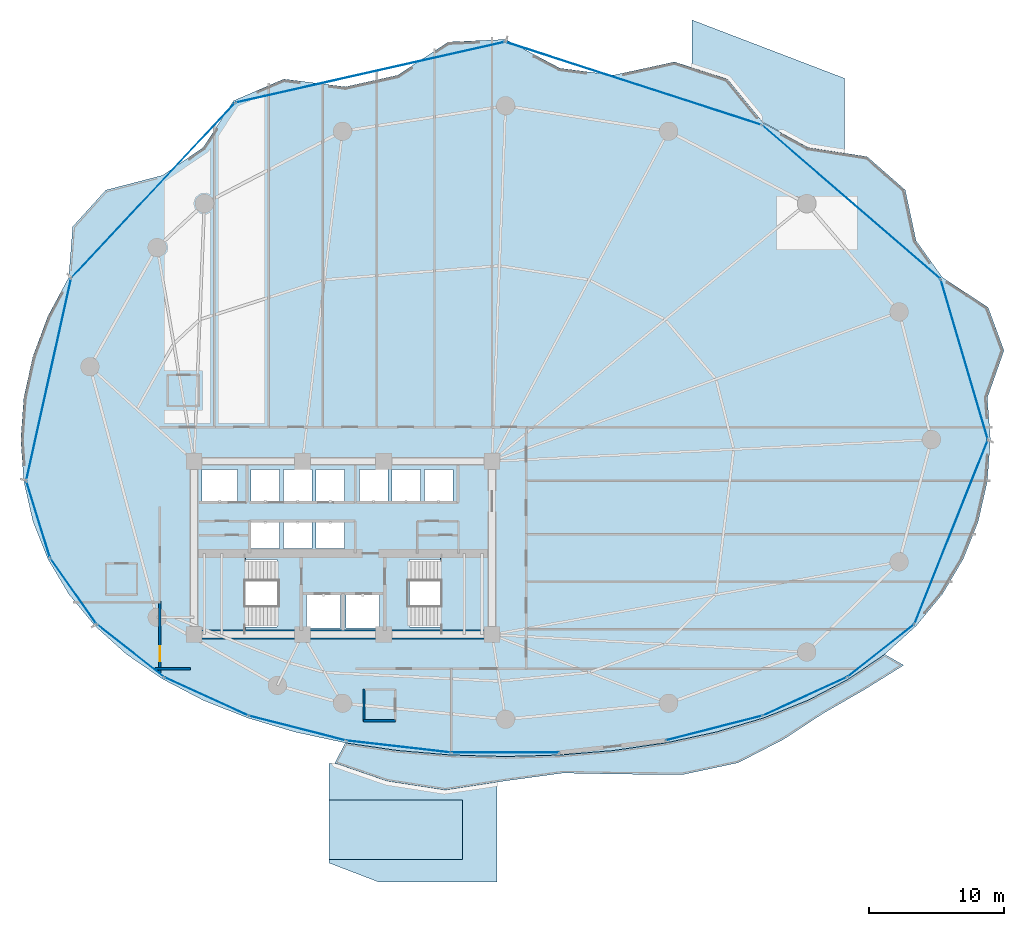
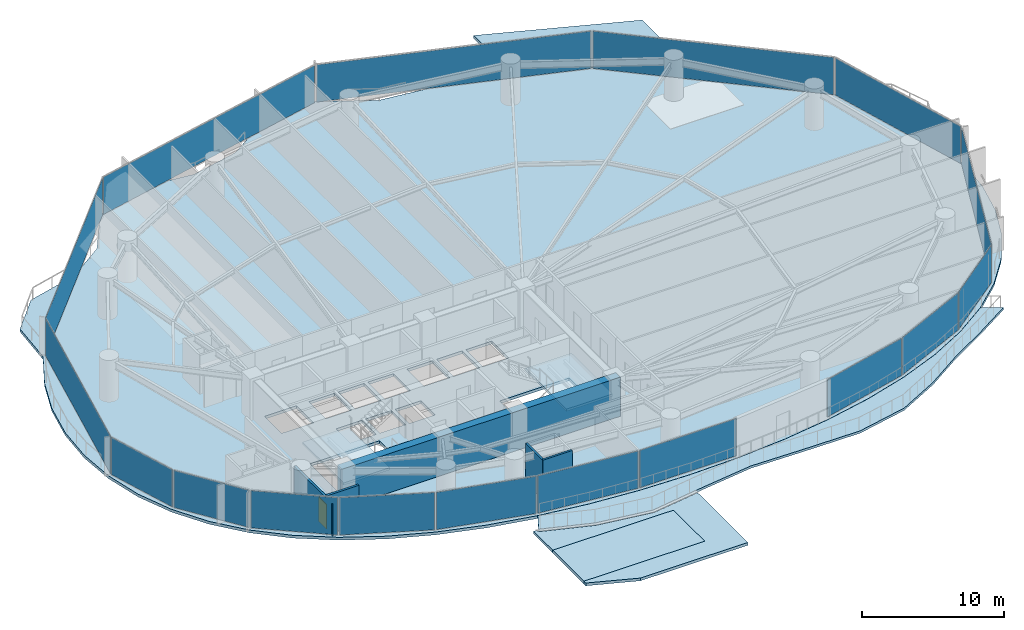
# One storey, part 24 of 32: 17 plates, 7 slabs, 5 walls, 1 door, 1 opening, 19 elements without a shape of their own.
"""IFC4 building model written with IfcOpenShell, lengths in metres."""

from ifc_helpers import new_model, si_unit, direction, frame, frame_2d, origin, origin_2d, place, context, subcontext, project, spatial, polyline, rectangle, outline, extrude, material, layer, layer_set, type_object, element, fill, aggregate, save


model = new_model("IFC4")

# Units and contexts
model_context = context("Model", 3, precision=1e-05, world=origin(), true_north=direction((0.0, 1.0)))
body_context = subcontext(model_context, "Body", "Model", "MODEL_VIEW")
ifc_project = project(units=[si_unit("LENGTHUNIT", "METRE"), si_unit("AREAUNIT", "SQUARE_METRE"), si_unit("VOLUMEUNIT", "CUBIC_METRE"), si_unit("PLANEANGLEUNIT", "RADIAN"), si_unit("MASSUNIT", "GRAM", prefix="KILO")], contexts=[model_context])

# Site, building, storey
site_placement = place(None, origin())
site = spatial("IfcSite", under=ifc_project, at=site_placement, CompositionType="ELEMENT")
building_placement = place(site_placement, origin())
building = spatial("IfcBuilding", under=site, at=building_placement, Name="Kazevale Care Tower and Concert Hall", CompositionType="ELEMENT")
storey_placement = place(building_placement, frame((0.0, 0.0, 24.0)))
storey = spatial("IfcBuildingStorey", under=building, at=storey_placement, Name="L05", CompositionType="ELEMENT", Elevation=24.0)

# Curtain wall, plate
ifc_material_1 = material(Name="Aluminium 6063-T6 and Low-E Glass", Category="aluminium")
ifc_layer_1 = layer(ifc_material_1, 0.179931640625)
ifc_layer_set_1 = layer_set([ifc_layer_1], Name="Aluminium 6063-T6 and Low-E Glass")
curtain_wall_type_1 = type_object("IfcCurtainWallType", Name="Convex Checkerboard Finned Curtain Wall CW-2", PredefinedType="NOTDEFINED", material=ifc_layer_set_1)
curtain_wall_1_placement = place(storey_placement, origin())
curtain_wall_1 = element("IfcCurtainWall", 1, at=curtain_wall_1_placement, inside=storey, type_object=curtain_wall_type_1, Name="cw:L05:f14", PredefinedType="NOTDEFINED")
ifc_material_2 = material(Name="Low-E Laminated Glass", Category="glass")
ifc_layer_2 = layer(ifc_material_2, 0.028076171875)
ifc_layer_set_2 = layer_set([ifc_layer_2], Name="Low-E Laminated Glass")
plate_type_1 = type_object("IfcPlateType", Name="CW-2 Low-E Glazing Panel 28mm", PredefinedType="CURTAIN_PANEL", material=ifc_layer_set_2)
plate_1_placement = place(storey_placement, frame((18.9794921875, 56.39990234375, 0.074951171875), z_axis=(0.0, 0.0, 1.0), x_axis=(0.683059159381, 0.730363049987, 0.0)))
plate_1 = element("IfcPlate", 2, at=plate_1_placement, type_object=plate_type_1, Name="CW-2 panel 1.1", PredefinedType="CURTAIN_PANEL", context=body_context, shape_type="SweptSolid", body=[
    extrude(rectangle(XDim=17.576416015625, YDim=0.028076171875, at=origin_2d()), origin(), (0.0, 0.0, 1.0), 3.2099609375),
])
aggregate(curtain_wall_1, [plate_1])

curtain_wall_2_placement = place(storey_placement, origin())
curtain_wall_2 = element("IfcCurtainWall", 3, at=curtain_wall_2_placement, inside=storey, type_object=curtain_wall_type_1, Name="cw:L05:f16", PredefinedType="NOTDEFINED")
plate_2_placement = place(storey_placement, frame((54.444580078125, 64.298095703125, 0.074951171875), z_axis=(0.0, 0.0, 1.0), x_axis=(0.951410385043, -0.307925769029, 0.0)))
plate_2 = element("IfcPlate", 4, at=plate_2_placement, type_object=plate_type_1, Name="CW-2 panel 1.1", PredefinedType="CURTAIN_PANEL", context=body_context, shape_type="SweptSolid", body=[
    extrude(rectangle(XDim=19.77978515625, YDim=0.028076171875, at=origin_2d()), origin(), (0.0, 0.0, 1.0), 3.2099609375),
])
aggregate(curtain_wall_2, [plate_2])

ifc_layer_3 = layer(ifc_material_1, 0.179931640625)
ifc_layer_set_3 = layer_set([ifc_layer_3], Name="Aluminium 6063-T6 and Low-E Glass")
curtain_wall_type_2 = type_object("IfcCurtainWallType", Name="Convex Recessed Sunroom Curtain Wall CW-3", PredefinedType="NOTDEFINED", material=ifc_layer_set_3)
curtain_wall_3_placement = place(storey_placement, origin())
curtain_wall_3 = element("IfcCurtainWall", 5, at=curtain_wall_3_placement, inside=storey, type_object=curtain_wall_type_2, Name="cw:L05:f15", PredefinedType="NOTDEFINED")
ifc_layer_4 = layer(ifc_material_2, 0.028076171875)
ifc_layer_set_4 = layer_set([ifc_layer_4], Name="Low-E Laminated Glass")
plate_type_2 = type_object("IfcPlateType", Name="CW-3 Low-E Glazing Panel 28mm", PredefinedType="CURTAIN_PANEL", material=ifc_layer_set_4)
plate_3_placement = place(storey_placement, frame((34.998046875, 65.12255859375, 0.074951171875), z_axis=(0.0, 0.0, 1.0), x_axis=(0.975520013596, 0.219910670667, 0.0)))
plate_3 = element("IfcPlate", 6, at=plate_3_placement, type_object=plate_type_2, Name="CW-3 panel 1.1", PredefinedType="CURTAIN_PANEL", context=body_context, shape_type="SweptSolid", body=[
    extrude(rectangle(XDim=20.27197265625, YDim=0.028076171875, at=origin_2d()), origin(), (0.0, 0.0, 1.0), 3.2099609375),
])
aggregate(curtain_wall_3, [plate_3])

curtain_wall_4_placement = place(storey_placement, origin())
curtain_wall_4 = element("IfcCurtainWall", 7, at=curtain_wall_4_placement, inside=storey, type_object=curtain_wall_type_2, Name="cw:L05:f17", PredefinedType="NOTDEFINED")
plate_4_placement = place(storey_placement, frame((70.529052734375, 55.535400390625, 0.074951171875), z_axis=(0.0, 0.0, 1.0), x_axis=(0.757199570248, -0.653183596561, 0.0)))
plate_4 = element("IfcPlate", 8, at=plate_4_placement, type_object=plate_type_2, Name="CW-3 panel 1.1", PredefinedType="CURTAIN_PANEL", context=body_context, shape_type="SweptSolid", body=[
    extrude(rectangle(XDim=17.280029296875, YDim=0.028076171875, at=origin_2d()), origin(), (0.0, 0.0, 1.0), 3.2099609375),
])
aggregate(curtain_wall_4, [plate_4])

ifc_layer_5 = layer(ifc_material_1, 0.179931640625)
ifc_layer_set_5 = layer_set([ifc_layer_5], Name="Aluminium 6063-T6 and Low-E Glass")
curtain_wall_type_3 = type_object("IfcCurtainWallType", Name="Waist & Upper Residential Curtain Wall CW-4", PredefinedType="NOTDEFINED", material=ifc_layer_set_5)
curtain_wall_5_placement = place(storey_placement, origin())
curtain_wall_5 = element("IfcCurtainWall", 9, at=curtain_wall_5_placement, inside=storey, type_object=curtain_wall_type_3, Name="cw:L05:f01", PredefinedType="NOTDEFINED")
ifc_layer_6 = layer(ifc_material_2, 0.030029296875)
ifc_layer_set_6 = layer_set([ifc_layer_6], Name="Low-E Laminated Glass")
plate_type_3 = type_object("IfcPlateType", Name="CW-4 Low-E Glazing Panel 30mm", PredefinedType="CURTAIN_PANEL", material=ifc_layer_set_6)
plate_5_placement = place(storey_placement, frame((77.90087890625, 31.181884765625, 0.080078125), z_axis=(0.0, 0.0, 1.0), x_axis=(-0.370427424456, -0.928861412274, 0.0)))
plate_5 = element("IfcPlate", 10, at=plate_5_placement, type_object=plate_type_3, Name="CW-4 panel 1.1", PredefinedType="CURTAIN_PANEL", context=body_context, shape_type="SweptSolid", body=[
    extrude(rectangle(XDim=14.520263671875, YDim=0.030029296875, at=origin_2d()), origin(), (0.0, 0.0, 1.0), 3.199951171875),
])
aggregate(curtain_wall_5, [plate_5])

curtain_wall_6_placement = place(storey_placement, origin())
curtain_wall_6 = element("IfcCurtainWall", 11, at=curtain_wall_6_placement, inside=storey, type_object=curtain_wall_type_3, Name="cw:L05:f11", PredefinedType="NOTDEFINED")
plate_6_placement = place(storey_placement, frame((13.094482421875, 26.81103515625, 0.080078125), z_axis=(0.0, 0.0, 1.0), x_axis=(-0.575836813322, 0.817564654583, 0.0)))
plate_6 = element("IfcPlate", 12, at=plate_6_placement, type_object=plate_type_3, Name="CW-4 panel 1.1", PredefinedType="CURTAIN_PANEL", context=body_context, shape_type="SweptSolid", body=[
    extrude(rectangle(XDim=5.826171875, YDim=0.030029296875, at=origin_2d()), origin(), (0.0, 0.0, 1.0), 3.199951171875),
])
aggregate(curtain_wall_6, [plate_6])

curtain_wall_7_placement = place(storey_placement, origin())
curtain_wall_7 = element("IfcCurtainWall", 13, at=curtain_wall_7_placement, inside=storey, type_object=curtain_wall_type_3, Name="cw:L05:f12", PredefinedType="NOTDEFINED")
plate_7_placement = place(storey_placement, frame((10.487548828125, 32.10791015625, 0.080078125), z_axis=(0.0, 0.0, 1.0), x_axis=(-0.296098771112, 0.955157326175, 0.0)))
plate_7 = element("IfcPlate", 14, at=plate_7_placement, type_object=plate_type_3, Name="CW-4 panel 1.1", PredefinedType="CURTAIN_PANEL", context=body_context, shape_type="SweptSolid", body=[
    extrude(rectangle(XDim=5.8076171875, YDim=0.030029296875, at=origin_2d()), origin(), (0.0, 0.0, 1.0), 3.199951171875),
])
aggregate(curtain_wall_7, [plate_7])

curtain_wall_8_placement = place(storey_placement, origin())
curtain_wall_8 = element("IfcCurtainWall", 15, at=curtain_wall_8_placement, inside=storey, type_object=curtain_wall_type_3, Name="cw:L05:f13", PredefinedType="NOTDEFINED")
plate_8_placement = place(storey_placement, frame((11.262939453125, 42.4404296875, 0.080078125), z_axis=(0.0, 0.0, 1.0), x_axis=(0.216460716862, 0.976291328475, 0.0)))
plate_8 = element("IfcPlate", 16, at=plate_8_placement, type_object=plate_type_3, Name="CW-4 panel 1.1", PredefinedType="CURTAIN_PANEL", context=body_context, shape_type="SweptSolid", body=[
    extrude(rectangle(XDim=15.16845703125, YDim=0.030029296875, at=origin_2d()), origin(), (0.0, 0.0, 1.0), 3.199951171875),
])
aggregate(curtain_wall_8, [plate_8])

curtain_wall_9_placement = place(storey_placement, origin())
curtain_wall_9 = element("IfcCurtainWall", 17, at=curtain_wall_9_placement, inside=storey, type_object=curtain_wall_type_3, Name="cw:L05:f18", PredefinedType="NOTDEFINED")
plate_9_placement = place(storey_placement, frame((78.8740234375, 43.92138671875, 0.080078125), z_axis=(0.0, 0.0, 1.0), x_axis=(0.282819600918, -0.959173119586, 0.0)))
plate_9 = element("IfcPlate", 18, at=plate_9_placement, type_object=plate_type_3, Name="CW-4 panel 1.1", PredefinedType="CURTAIN_PANEL", context=body_context, shape_type="SweptSolid", body=[
    extrude(rectangle(XDim=12.18701171875, YDim=0.030029296875, at=origin_2d()), origin(), (0.0, 0.0, 1.0), 3.199951171875),
])
aggregate(curtain_wall_9, [plate_9])

ifc_layer_7 = layer(ifc_material_1, 0.179931640625)
ifc_layer_set_7 = layer_set([ifc_layer_7], Name="Aluminium 6063-T6 and Low-E Glass")
curtain_wall_type_4 = type_object("IfcCurtainWallType", Name="Sheltered Concave Balcony Curtain Wall CW-5", PredefinedType="NOTDEFINED", material=ifc_layer_set_7)
curtain_wall_10_placement = place(storey_placement, origin())
curtain_wall_10 = element("IfcCurtainWall", 19, at=curtain_wall_10_placement, inside=storey, type_object=curtain_wall_type_4, Name="cw:L05:f02", PredefinedType="NOTDEFINED")
ifc_layer_8 = layer(ifc_material_2, 0.02587890625)
ifc_layer_set_8 = layer_set([ifc_layer_8], Name="Low-E Laminated Glass")
plate_type_4 = type_object("IfcPlateType", Name="CW-5 Low-E Glazing Panel 26mm", PredefinedType="CURTAIN_PANEL", material=ifc_layer_set_8)
plate_10_placement = place(storey_placement, frame((72.701904296875, 22.41552734375, 0.074951171875), z_axis=(0.0, 0.0, 1.0), x_axis=(-0.78632934107, -0.617807548814, 0.0)))
plate_10 = element("IfcPlate", 20, at=plate_10_placement, type_object=plate_type_4, Name="CW-5 panel 1.1", PredefinedType="CURTAIN_PANEL", context=body_context, shape_type="SweptSolid", body=[
    extrude(rectangle(XDim=6.15771484375, YDim=0.02587890625, at=origin_2d()), origin(), (0.0, 0.0, 1.0), 3.2099609375),
])
aggregate(curtain_wall_10, [plate_10])

curtain_wall_11_placement = place(storey_placement, origin())
curtain_wall_11 = element("IfcCurtainWall", 21, at=curtain_wall_11_placement, inside=storey, type_object=curtain_wall_type_4, Name="cw:L05:f03", PredefinedType="NOTDEFINED")
plate_11_placement = place(storey_placement, frame((67.10498046875, 19.04248046875, 0.074951171875), z_axis=(0.0, 0.0, 1.0), x_axis=(-0.909520179795, -0.415659767773, 0.0)))
plate_11 = element("IfcPlate", 22, at=plate_11_placement, type_object=plate_type_4, Name="CW-5 panel 1.1", PredefinedType="CURTAIN_PANEL", context=body_context, shape_type="SweptSolid", body=[
    extrude(rectangle(XDim=6.7041015625, YDim=0.02587890625, at=origin_2d()), origin(), (0.0, 0.0, 1.0), 3.2099609375),
])
aggregate(curtain_wall_11, [plate_11])

curtain_wall_12_placement = place(storey_placement, origin())
curtain_wall_12 = element("IfcCurtainWall", 23, at=curtain_wall_12_placement, inside=storey, type_object=curtain_wall_type_4, Name="cw:L05:f04", PredefinedType="NOTDEFINED")
plate_12_placement = place(storey_placement, frame((60.389892578125, 16.699951171875, 0.074951171875), z_axis=(0.0, 0.0, 1.0), x_axis=(-0.968958899798, -0.247221864936, 0.0)))
plate_12 = element("IfcPlate", 24, at=plate_12_placement, type_object=plate_type_4, Name="CW-5 panel 1.1", PredefinedType="CURTAIN_PANEL", context=body_context, shape_type="SweptSolid", body=[
    extrude(rectangle(XDim=7.276611328125, YDim=0.02587890625, at=origin_2d()), origin(), (0.0, 0.0, 1.0), 3.2099609375),
])
aggregate(curtain_wall_12, [plate_12])

curtain_wall_13_placement = place(storey_placement, origin())
curtain_wall_13 = element("IfcCurtainWall", 25, at=curtain_wall_13_placement, inside=storey, type_object=curtain_wall_type_4, Name="cw:L05:f06", PredefinedType="NOTDEFINED")
plate_13_placement = place(storey_placement, frame((45.0, 14.889892578125, 0.074951171875), z_axis=(0.0, 0.0, 1.0), x_axis=(-1.0, 0.0, 0.0)))
plate_13 = element("IfcPlate", 26, at=plate_13_placement, type_object=plate_type_4, Name="CW-5 panel 1.1", PredefinedType="CURTAIN_PANEL", context=body_context, shape_type="SweptSolid", body=[
    extrude(rectangle(XDim=7.845947265625, YDim=0.02587890625, at=origin_2d()), origin(), (0.0, 0.0, 1.0), 3.2099609375),
])
aggregate(curtain_wall_13, [plate_13])

curtain_wall_14_placement = place(storey_placement, origin())
curtain_wall_14 = element("IfcCurtainWall", 27, at=curtain_wall_14_placement, inside=storey, type_object=curtain_wall_type_4, Name="cw:L05:f07", PredefinedType="NOTDEFINED")
plate_14_placement = place(storey_placement, frame((37.10498046875, 15.3359375, 0.074951171875), z_axis=(0.0, 0.0, 1.0), x_axis=(-0.993514581883, 0.113704773808, 0.0)))
plate_14 = element("IfcPlate", 28, at=plate_14_placement, type_object=plate_type_4, Name="CW-5 panel 1.1", PredefinedType="CURTAIN_PANEL", context=body_context, shape_type="SweptSolid", body=[
    extrude(rectangle(XDim=7.69482421875, YDim=0.02587890625, at=origin_2d()), origin(), (0.0, 0.0, 1.0), 3.2099609375),
])
aggregate(curtain_wall_14, [plate_14])

curtain_wall_15_placement = place(storey_placement, origin())
curtain_wall_15 = element("IfcCurtainWall", 29, at=curtain_wall_15_placement, inside=storey, type_object=curtain_wall_type_4, Name="cw:L05:f08", PredefinedType="NOTDEFINED")
plate_15_placement = place(storey_placement, frame((29.610107421875, 16.699951171875, 0.074951171875), z_axis=(0.0, 0.0, 1.0), x_axis=(-0.968958899798, 0.247221864936, 0.0)))
plate_15 = element("IfcPlate", 30, at=plate_15_placement, type_object=plate_type_4, Name="CW-5 panel 1.1", PredefinedType="CURTAIN_PANEL", context=body_context, shape_type="SweptSolid", body=[
    extrude(rectangle(XDim=7.276611328125, YDim=0.02587890625, at=origin_2d()), origin(), (0.0, 0.0, 1.0), 3.2099609375),
])
aggregate(curtain_wall_15, [plate_15])

curtain_wall_16_placement = place(storey_placement, origin())
curtain_wall_16 = element("IfcCurtainWall", 31, at=curtain_wall_16_placement, inside=storey, type_object=curtain_wall_type_4, Name="cw:L05:f09", PredefinedType="NOTDEFINED")
plate_16_placement = place(storey_placement, frame((22.89501953125, 19.04248046875, 0.074951171875), z_axis=(0.0, 0.0, 1.0), x_axis=(-0.909520179795, 0.415659767773, 0.0)))
plate_16 = element("IfcPlate", 32, at=plate_16_placement, type_object=plate_type_4, Name="CW-5 panel 1.1", PredefinedType="CURTAIN_PANEL", context=body_context, shape_type="SweptSolid", body=[
    extrude(rectangle(XDim=6.7041015625, YDim=0.02587890625, at=origin_2d()), origin(), (0.0, 0.0, 1.0), 3.2099609375),
])
aggregate(curtain_wall_16, [plate_16])

curtain_wall_17_placement = place(storey_placement, origin())
curtain_wall_17 = element("IfcCurtainWall", 33, at=curtain_wall_17_placement, inside=storey, type_object=curtain_wall_type_4, Name="cw:L05:f10", PredefinedType="NOTDEFINED")
plate_17_placement = place(storey_placement, frame((17.298095703125, 22.41552734375, 0.074951171875), z_axis=(0.0, 0.0, 1.0), x_axis=(-0.78632934107, 0.617807548814, 0.0)))
plate_17 = element("IfcPlate", 34, at=plate_17_placement, type_object=plate_type_4, Name="CW-5 panel 1.1", PredefinedType="CURTAIN_PANEL", context=body_context, shape_type="SweptSolid", body=[
    extrude(rectangle(XDim=6.15771484375, YDim=0.02587890625, at=origin_2d()), origin(), (0.0, 0.0, 1.0), 3.2099609375),
])
aggregate(curtain_wall_17, [plate_17])

# Slabs
ifc_material_3 = material(Name="Concrete C40", Category="concrete")
ifc_layer_9 = layer(ifc_material_3, 0.239990234375)
ifc_layer_set_9 = layer_set([ifc_layer_9], Name="Concrete C40")
slab_type_1 = type_object("IfcSlabType", Name="Podium and Tower Roof Slab 240", PredefinedType="ROOF", material=ifc_layer_set_9)
slab_1_placement = place(storey_placement, frame((0.0, 0.0, -0.239990234375)))
element("IfcSlab", 35, at=slab_1_placement, inside=storey, type_object=slab_type_1, Name="slab:L05:roof_lobe:1", PredefinedType="ROOF", context=body_context, shape_type="SweptSolid", body=[
    extrude(outline(polyline([(31.969970703125, 7.0), (31.969970703125, 6.73291015625), (35.60693359375, 5.342041015625), (44.35498046875, 5.342041015625), (44.35498046875, 12.4189453125), (40.48388671875, 11.843994140625), (36.181884765625, 12.510986328125), (32.429931640625, 13.802978515625), (32.27001953125, 13.905029296875), (32.176025390625, 14.070068359375), (31.969970703125, 14.097900390625), (31.969970703125, 11.39990234375), (41.804931640625, 11.39990234375), (41.804931640625, 7.0), (31.969970703125, 7.0)])), origin(), (0.0, 0.0, 1.0), 0.239990234375),
])
slab_2_placement = place(storey_placement, frame((0.0, 0.0, -0.239990234375)))
element("IfcSlab", 36, at=slab_2_placement, inside=storey, type_object=slab_type_1, Name="slab:L05:roof_lobe:2", PredefinedType="ROOF", context=body_context, shape_type="SweptSolid", body=[
    extrude(outline(polyline([(70.030029296875, 64.677001953125), (58.77001953125, 68.98388671875), (58.77001953125, 65.742919921875), (61.52197265625, 64.8330078125), (63.887939453125, 61.970947265625), (63.952880859375, 61.7880859375), (63.916015625, 61.576904296875), (64.06591796875, 61.39306640625), (65.139892578125, 60.805908203125), (65.340087890625, 60.881103515625), (65.531982421875, 60.85107421875), (67.406005859375, 59.827880859375), (70.030029296875, 59.41796875), (70.030029296875, 64.677001953125)])), origin(), (0.0, 0.0, 1.0), 0.239990234375),
])
slab_3_placement = place(storey_placement, frame((0.0, 0.0, -0.239990234375)))
element("IfcSlab", 37, at=slab_3_placement, inside=storey, type_object=slab_type_1, Name="slab:L05:roof_lobe:3", PredefinedType="ROOF", context=body_context, shape_type="SweptSolid", body=[
    extrude(outline(polyline([(31.969970703125, 11.39990234375), (31.969970703125, 7.0), (41.804931640625, 7.0), (41.804931640625, 11.39990234375), (31.969970703125, 11.39990234375)])), origin(), (0.0, 0.0, 1.0), 0.239990234375),
])
ifc_layer_10 = layer(ifc_material_3, 0.199951171875)
ifc_layer_set_10 = layer_set([ifc_layer_10], Name="Concrete C40")
slab_type_2 = type_object("IfcSlabType", Name="Sinusoidal Concave Balcony Slab 200", PredefinedType="USERDEFINED", material=ifc_layer_set_10)
slab_4_placement = place(storey_placement, frame((0.0, 0.0, -0.199951171875)))
element("IfcSlab", 38, at=slab_4_placement, inside=storey, type_object=slab_type_2, Name="slab:L05:bal", ObjectType="BALCONY", PredefinedType="USERDEFINED", context=body_context, shape_type="SweptSolid", body=[
    extrude(outline(polyline([(74.402099609375, 21.343017578125), (71.4580078125, 19.512939453125), (68.442626953125, 17.780517578125), (65.516845703125, 15.861328125), (62.164306640625, 14.135498046875), (58.06201171875, 13.260498046875), (53.572509765625, 13.29638671875), (49.2373046875, 13.37939453125), (45.0, 12.801025390625), (40.54541015625, 12.117431640625), (36.2490234375, 12.7822265625), (32.38818359375, 14.11279296875), (33.173583984375, 15.6005859375), (33.175048828125, 15.600341796875), (37.033203125, 15.038818359375), (40.991455078125, 14.705322265625), (45.0, 14.594970703125), (49.008544921875, 14.705322265625), (52.966796875, 15.038818359375), (56.824951171875, 15.600341796875), (60.5341796875, 16.3984375), (64.04833984375, 17.443115234375), (67.322998046875, 18.743408203125), (70.31689453125, 20.3076171875), (72.99267578125, 22.139404296875), (72.994140625, 22.140625), (74.402099609375, 21.343017578125)])), origin(), (0.0, 0.0, 1.0), 0.199951171875),
])

# Stair, slab
stair_type = type_object("IfcStairType", Name="Exit Stair Assembly ST1-Z1", PredefinedType="HALF_TURN_STAIR", material=ifc_material_3)
stair_1_placement = place(storey_placement, origin())
stair_1 = element("IfcStair", 39, at=stair_1_placement, inside=storey, type_object=stair_type, Name="stair:L05:ST1", PredefinedType="HALF_TURN_STAIR")
ifc_layer_11 = layer(ifc_material_3, 0.199951171875)
ifc_layer_set_11 = layer_set([ifc_layer_11], Name="Concrete C40")
slab_type_3 = type_object("IfcSlabType", Name="Stair Half-Landing Slab ST1-Z1", PredefinedType="LANDING", material=ifc_layer_set_11)
slab_5_placement = place(storey_placement, frame((0.0, 0.0, 1.60009765625)))
slab_5 = element("IfcSlab", 40, at=slab_5_placement, type_object=slab_type_3, Name="ST1-Z1 landing 1", PredefinedType="LANDING", context=body_context, shape_type="SweptSolid", body=[
    extrude(outline(polyline([(22.050048828125, 23.699951171875), (25.81005859375, 23.699951171875), (25.81005859375, 29.5), (22.050048828125, 29.5), (22.050048828125, 23.699951171875)])), origin(), (0.0, 0.0, 1.0), 0.199951171875),
])
aggregate(stair_1, [slab_5])

stair_2_placement = place(storey_placement, origin())
stair_2 = element("IfcStair", 41, at=stair_2_placement, inside=storey, type_object=stair_type, Name="stair:L05:ST2", PredefinedType="HALF_TURN_STAIR")
slab_6_placement = place(storey_placement, frame((0.0, 0.0, 1.60009765625)))
slab_6 = element("IfcSlab", 42, at=slab_6_placement, type_object=slab_type_3, Name="ST1-Z1 landing 1", PredefinedType="LANDING", context=body_context, shape_type="SweptSolid", body=[
    extrude(outline(polyline([(40.18994140625, 23.699951171875), (43.949951171875, 23.699951171875), (43.949951171875, 29.5), (40.18994140625, 29.5), (40.18994140625, 23.699951171875)])), origin(), (0.0, 0.0, 1.0), 0.199951171875),
])
aggregate(stair_2, [slab_6])

# Slab
ifc_layer_12 = layer(ifc_material_3, 0.239990234375)
ifc_layer_set_12 = layer_set([ifc_layer_12], Name="Concrete C40")
slab_type_4 = type_object("IfcSlabType", Name="Tower Typical Floor Slab 240", PredefinedType="FLOOR", material=ifc_layer_set_12)
slab_7_placement = place(storey_placement, frame((0.0, 0.0, -0.239990234375)))
element("IfcSlab", 43, at=slab_7_placement, inside=storey, type_object=slab_type_4, Name="slab:L05:tw:1", PredefinedType="FLOOR", context=body_context, shape_type="SweptSolid", body=[
    extrude(outline(polyline([(80.800048828125, 38.0), (80.574951171875, 41.090087890625), (81.803466796875, 44.575439453125), (80.631591796875, 47.759765625), (77.254638671875, 49.97509765625), (75.312744140625, 52.68408203125), (74.51416015625, 56.424072265625), (71.693359375, 58.89501953125), (67.32080078125, 59.57861328125), (64.046630859375, 61.36962890625), (61.379150390625, 64.62353515625), (57.468017578125, 65.891845703125), (52.96630859375, 64.907958984375), (49.00830078125, 65.426513671875), (45.0, 67.550048828125), (40.773193359375, 67.3642578125), (37.03369140625, 64.907958984375), (33.176025390625, 64.05126953125), (28.620849609375, 64.62353515625), (24.915771484375, 63.020751953125), (22.67919921875, 59.57861328125), (19.685546875, 57.51611328125), (15.48583984375, 56.424072265625), (13.0361328125, 53.721435546875), (12.745361328125, 49.97509765625), (11.208984375, 47.11572265625), (10.09765625, 44.1416015625), (9.425048828125, 41.090087890625), (9.199951171875, 38.0), (9.425048828125, 34.931640625), (10.09765625, 31.972412109375), (11.208984375, 29.178466796875), (12.745361328125, 26.591064453125), (14.687255859375, 24.239501953125), (17.010498046875, 22.143310546875), (19.685546875, 20.31201171875), (22.67919921875, 18.748046875), (25.953369140625, 17.44775390625), (29.467041015625, 16.4033203125), (33.176025390625, 15.605224609375), (37.03369140625, 15.043701171875), (40.99169921875, 14.71044921875), (45.0, 14.60009765625), (49.00830078125, 14.71044921875), (52.96630859375, 15.043701171875), (56.823974609375, 15.605224609375), (60.532958984375, 16.4033203125), (64.046630859375, 17.44775390625), (67.32080078125, 18.748046875), (70.314453125, 20.31201171875), (72.989501953125, 22.143310546875), (75.312744140625, 24.239501953125), (77.254638671875, 26.591064453125), (78.791015625, 29.178466796875), (79.90234375, 31.972412109375), (80.574951171875, 34.931640625), (80.800048828125, 38.0)]), holes=[polyline([(22.449951171875, 24.14990234375), (28.110107421875, 24.14990234375), (28.110107421875, 29.14990234375), (22.449951171875, 29.14990234375), (22.449951171875, 24.14990234375)]), polyline([(37.889892578125, 24.14990234375), (43.550048828125, 24.14990234375), (43.550048828125, 29.14990234375), (37.889892578125, 29.14990234375), (37.889892578125, 24.14990234375)]), polyline([(30.300048828125, 24.10009765625), (32.800048828125, 24.10009765625), (32.800048828125, 26.60009765625), (30.300048828125, 26.60009765625), (30.300048828125, 24.10009765625)]), polyline([(33.199951171875, 24.10009765625), (35.699951171875, 24.10009765625), (35.699951171875, 26.60009765625), (33.199951171875, 26.60009765625), (33.199951171875, 24.10009765625)]), polyline([(22.60009765625, 33.39990234375), (25.199951171875, 33.39990234375), (25.199951171875, 35.800048828125), (22.60009765625, 35.800048828125), (22.60009765625, 33.39990234375)]), polyline([(26.199951171875, 33.39990234375), (28.300048828125, 33.39990234375), (28.300048828125, 35.800048828125), (26.199951171875, 35.800048828125), (26.199951171875, 33.39990234375)]), polyline([(28.60009765625, 33.39990234375), (30.699951171875, 33.39990234375), (30.699951171875, 35.800048828125), (28.60009765625, 35.800048828125), (28.60009765625, 33.39990234375)]), polyline([(31.0, 33.39990234375), (33.10009765625, 33.39990234375), (33.10009765625, 35.800048828125), (31.0, 35.800048828125), (31.0, 33.39990234375)]), polyline([(34.199951171875, 33.39990234375), (36.300048828125, 33.39990234375), (36.300048828125, 35.800048828125), (34.199951171875, 35.800048828125), (34.199951171875, 33.39990234375)]), polyline([(36.60009765625, 33.39990234375), (38.699951171875, 33.39990234375), (38.699951171875, 35.800048828125), (36.60009765625, 35.800048828125), (36.60009765625, 33.39990234375)]), polyline([(39.0, 33.39990234375), (41.10009765625, 33.39990234375), (41.10009765625, 35.800048828125), (39.0, 35.800048828125), (39.0, 33.39990234375)]), polyline([(26.199951171875, 29.949951171875), (28.300048828125, 29.949951171875), (28.300048828125, 31.949951171875), (26.199951171875, 31.949951171875), (26.199951171875, 29.949951171875)]), polyline([(28.60009765625, 29.949951171875), (30.699951171875, 29.949951171875), (30.699951171875, 31.949951171875), (28.60009765625, 31.949951171875), (28.60009765625, 29.949951171875)]), polyline([(31.0, 29.949951171875), (33.10009765625, 29.949951171875), (33.10009765625, 31.949951171875), (31.0, 31.949951171875), (31.0, 29.949951171875)])]), origin(), (0.0, 0.0, 1.0), 0.239990234375),
])

# Wall
ifc_material_4 = material(Name="Concrete C70", Category="concrete")
ifc_layer_13 = layer(ifc_material_4, 0.64990234375)
ifc_layer_set_13 = layer_set([ifc_layer_13], Name="Concrete C70")
wall_type_1 = type_object("IfcWallType", Name="Core Shear Wall 650 C70", PredefinedType="SHEAR", material=ifc_layer_set_13)
wall_1_placement = place(storey_placement, frame((21.675048828125, 23.60009765625, 0.0), z_axis=(0.0, 0.0, 1.0), x_axis=(1.0, 0.0, 0.0)))
element("IfcWall", 44, at=wall_1_placement, inside=storey, type_object=wall_type_1, Name="wall:L05:core:S", PredefinedType="SHEAR", context=body_context, shape_type="SweptSolid", body=[
    extrude(rectangle(XDim=22.64990234375, YDim=0.64990234375, at=frame_2d((11.324951171875, 0.0))), origin(), (0.0, 0.0, 1.0), 3.360107421875),
])

# Wall, opening, door
ifc_material_5 = material(Name="Concrete C40 and Acoustic Gypsum", Category="concrete")
ifc_layer_14 = layer(ifc_material_5, 0.179931640625)
ifc_layer_set_14 = layer_set([ifc_layer_14], Name="Concrete C40 and Acoustic Gypsum")
wall_type_2 = type_object("IfcWallType", Name="Fire-Rated Corridor & Party Wall 180", PredefinedType="PARTITIONING", material=ifc_layer_set_14)
wall_2_placement = place(storey_placement, frame((19.47509765625, 20.695068359375, 0.0), z_axis=(0.0, 0.0, 1.0), x_axis=(0.0, 1.0, 0.0)))
wall_2 = element("IfcWall", 45, at=wall_2_placement, inside=storey, type_object=wall_type_2, Name="wall:L05:auto_015", PredefinedType="PARTITIONING", context=body_context, shape_type="SweptSolid", body=[
    extrude(rectangle(XDim=5.369873046875, YDim=0.179931640625, at=frame_2d((2.68505859375, 0.0))), origin(), (0.0, 0.0, 1.0), 2.738037109375),
])
opening_placement = place(wall_2_placement, frame((0.93505859375, 0.0, 0.0)))
opening = element("IfcOpeningElement", 46, at=opening_placement, cuts=wall_2, Name="Opening ID-1100", PredefinedType="OPENING", context=body_context, shape_type="SweptSolid", body=[
    extrude(rectangle(XDim=1.10009765625, YDim=2.10009765625, at=frame_2d((0.550048828125, 1.050048828125))), frame((0.0, 0.099853515625, 0.0), z_axis=(0.0, -1.0, 0.0), x_axis=(1.0, 0.0, 0.0)), (0.0, 0.0, 1.0), 0.199951171875),
])
ifc_material_6 = material(Name="Oak Timber Fire Leaf", Category="wood")
door_type = type_object("IfcDoorType", Name="Care Bedroom Accessible Door 1100x2100", OperationType="NOTDEFINED", PredefinedType="DOOR", material=ifc_material_6)
door_placement = place(opening_placement, origin())
door = element("IfcDoor", 47, at=door_placement, inside=storey, type_object=door_type, Name="door:L05:ad_015", OperationType="SINGLE_SWING_LEFT", OverallHeight=2.10009765625, OverallWidth=1.10009765625, PredefinedType="DOOR", context=body_context, shape_type="SweptSolid", body=[
    extrude(rectangle(XDim=1.10009765625, YDim=2.10009765625, at=frame_2d((0.550048828125, 1.050048828125))), frame((0.0, 0.02490234375, 0.0), z_axis=(0.0, -1.0, 0.0), x_axis=(1.0, 0.0, 0.0)), (0.0, 0.0, 1.0), 0.050048828125),
])
fill(opening, door)

# Walls
wall_3_placement = place(storey_placement, frame((21.739990234375, 21.074951171875, 0.0), z_axis=(0.0, 0.0, 1.0), x_axis=(-1.0, 0.0, 0.0)))
element("IfcWall", 48, at=wall_3_placement, inside=storey, type_object=wall_type_2, Name="wall:L05:auto_016", PredefinedType="PARTITIONING", context=body_context, shape_type="SweptSolid", body=[
    extrude(rectangle(XDim=2.64501953125, YDim=0.179931640625, at=frame_2d((1.322509765625, 0.0))), origin(), (0.0, 0.0, 1.0), 3.360107421875),
])
ifc_material_7 = material(Name="Acoustic Gypsum on Steel Stud", Category="steel")
ifc_layer_15 = layer(ifc_material_7, 0.159912109375)
ifc_layer_set_15 = layer_set([ifc_layer_15], Name="Acoustic Gypsum on Steel Stud")
wall_type_3 = type_object("IfcWallType", Name="Moisture-Resistant Bathroom Plumbing Wall 160", PredefinedType="PLUMBINGWALL", material=ifc_layer_set_15)
wall_4_placement = place(storey_placement, frame((34.510009765625, 17.239013671875, 0.0), z_axis=(0.0, 0.0, 1.0), x_axis=(1.0, 0.0, 0.0)))
element("IfcWall", 49, at=wall_4_placement, inside=storey, type_object=wall_type_3, Name="wall:L05:sb2a_ens_ws", PredefinedType="PLUMBINGWALL", context=body_context, shape_type="SweptSolid", body=[
    extrude(rectangle(XDim=2.3798828125, YDim=0.159912109375, at=frame_2d((1.18994140625, 0.0))), origin(), (0.0, 0.0, 1.0), 3.360107421875),
])
wall_5_placement = place(storey_placement, frame((34.550048828125, 17.198974609375, 0.0), z_axis=(0.0, 0.0, 1.0), x_axis=(0.0, 1.0, 0.0)))
element("IfcWall", 50, at=wall_5_placement, inside=storey, type_object=wall_type_3, Name="wall:L05:sb2a_ens_ww", PredefinedType="PLUMBINGWALL", context=body_context, shape_type="SweptSolid", body=[
    extrude(rectangle(XDim=2.380126953125, YDim=0.159912109375, at=frame_2d((1.18994140625, 0.0))), origin(), (0.0, 0.0, 1.0), 3.360107421875),
])

save(model, "model.ifc")
